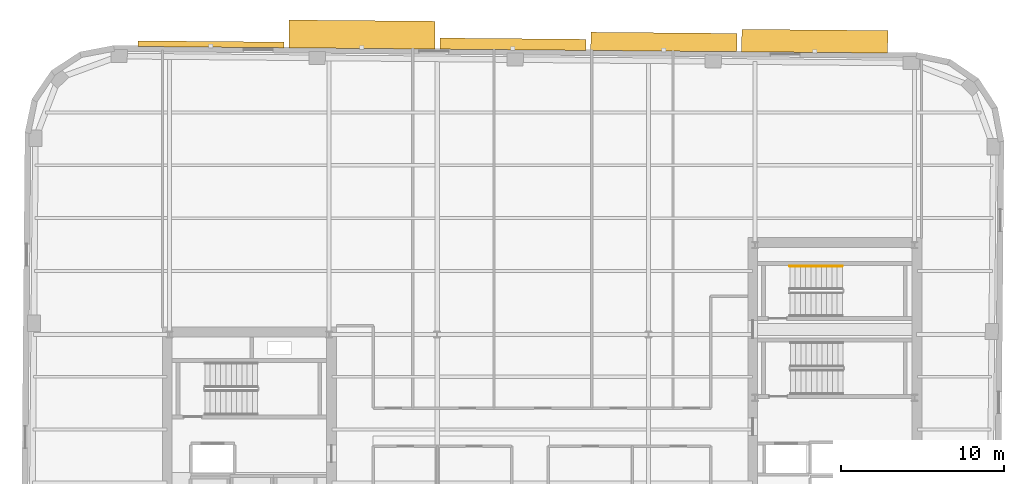
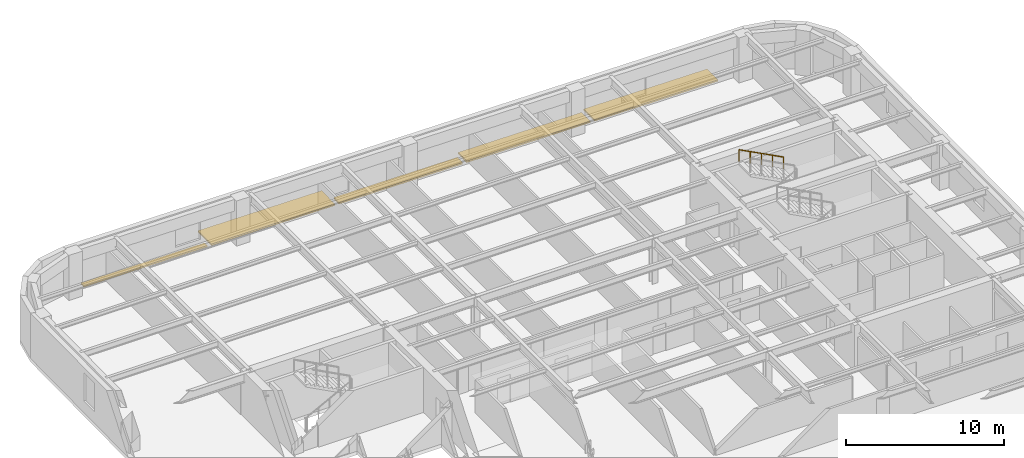
# One storey, part 11 of 11: 5 shading devices, 1 railing.
"""IFC4 building model written with IfcOpenShell, lengths in metres."""

import ifcopenshell
import ifcopenshell.guid

model = None  # the IFC model being written
_history = None  # IfcOwnerHistory: only IFC2X3 demands one
_inside = {}  # id of a spatial element -> (the spatial element, [elements in it])
_under = {}  # id of a project, library or spatial element -> (it, [spatial elements below it])
_declared = {}  # id of a project -> (the project, [libraries it declares])
_typed = {}  # id of a type object -> (the type object, [elements of that type])
_made_of = {}  # id of a material, layer set ... -> (it, [elements and type objects made of it])


def new_model(schema):
    """Start an empty IFC model of exactly this schema.

    Asked for "IFC4X3", IfcOpenShell would pick the latest addendum, in which some entities
    have other attributes; the version numbers below select the first issue.
    IFC2X3 requires an IfcOwnerHistory on every rooted entity: one is made here for all.
    """
    global model, _history
    if schema == "IFC4X3":
        model = ifcopenshell.file(schema_version=(4, 3, 0, 0))
    else:
        model = ifcopenshell.file(schema=schema)
    _inside.clear()
    _under.clear()
    _declared.clear()
    _typed.clear()
    _made_of.clear()
    _history = None
    if model.schema == "IFC2X3":
        org = make("IfcOrganization", Name="unknown")
        user = make(
            "IfcPersonAndOrganization",
            ThePerson=make("IfcPerson", FamilyName="unknown"),
            TheOrganization=org,
        )
        app = make(
            "IfcApplication",
            ApplicationDeveloper=org,
            Version="unknown",
            ApplicationFullName="unknown",
            ApplicationIdentifier="unknown",
        )
        _history = make(
            "IfcOwnerHistory",
            OwningUser=user,
            OwningApplication=app,
            ChangeAction="ADDED",
            CreationDate=0,
        )
    return model


def make(cls, **values):
    """One entity of the class cls with the attributes given. An attribute that is None is left unset."""
    return model.create_entity(
        cls, **{name: value for name, value in values.items() if value is not None}
    )


def rooted(cls, **values):
    """An entity with a GlobalId (a new one), such as an element, a storey or a relation."""
    return make(cls, GlobalId=ifcopenshell.guid.new(), OwnerHistory=_history, **values)


def si_unit(unit_type, name, prefix=None):
    """IfcSIUnit, for example si_unit("LENGTHUNIT", "METRE", prefix="MILLI")."""
    return make("IfcSIUnit", UnitType=unit_type, Prefix=prefix, Name=name)


def assignment(units):
    """IfcUnitAssignment: the units of a project."""
    return None if units is None else make("IfcUnitAssignment", Units=units)


def point(xyz):
    """IfcCartesianPoint."""
    return None if xyz is None else make("IfcCartesianPoint", Coordinates=xyz)


def direction(xyz):
    """IfcDirection."""
    return None if xyz is None else make("IfcDirection", DirectionRatios=xyz)


def frame(location, z_axis=None, x_axis=None):
    """IfcAxis2Placement3D, a coordinate frame: its origin and axes. An axis left out is left unset."""
    return make(
        "IfcAxis2Placement3D",
        Location=point(location),
        Axis=direction(z_axis),
        RefDirection=direction(x_axis),
    )


def frame_2d(location, x_axis=None):
    """IfcAxis2Placement2D, a coordinate frame in the plane: its origin and x axis."""
    return make(
        "IfcAxis2Placement2D", Location=point(location), RefDirection=direction(x_axis)
    )


def origin():
    """The frame at (0, 0, 0) with its axes left unset."""
    return frame((0.0, 0.0, 0.0))


def origin_2d():
    """The frame at (0, 0) in the plane with its x axis left unset."""
    return frame_2d((0.0, 0.0))


def place(relative_to, where):
    """IfcLocalPlacement: puts the frame where relative to a parent placement (None: the world)."""
    return make(
        "IfcLocalPlacement", PlacementRelTo=relative_to, RelativePlacement=where
    )


def context(
    kind, dimensions, precision=None, world=None, true_north=None, identifier=None
):
    """IfcGeometricRepresentationContext, for example the 3D "Model" context."""
    return make(
        "IfcGeometricRepresentationContext",
        ContextIdentifier=identifier,
        ContextType=kind,
        CoordinateSpaceDimension=dimensions,
        Precision=precision,
        WorldCoordinateSystem=world,
        TrueNorth=true_north,
    )


def subcontext(parent, identifier, kind, view, scale=None):
    """IfcGeometricRepresentationSubContext, for example "Body" below "Model"."""
    return make(
        "IfcGeometricRepresentationSubContext",
        ContextIdentifier=identifier,
        ContextType=kind,
        ParentContext=parent,
        TargetScale=scale,
        TargetView=view,
    )


def project(units=None, contexts=None):
    """IfcProject with its units and contexts."""
    return rooted(
        "IfcProject",
        Name="project",
        RepresentationContexts=contexts,
        UnitsInContext=assignment(units),
    )


def spatial(cls, under=None, at=None, **own):
    """A site, building, storey or space (cls), placed at a placement, below another one or the project."""
    s = rooted(cls, ObjectPlacement=at, **own)
    if under is not None:
        _under.setdefault(under.id(), (under, []))[1].append(s)
    return s


def profile(cls, at=None, kind="AREA", **sizes):
    """A parametric profile (cls). Its sizes go by their IFC names, for example OverallWidth=200.0."""
    return make(cls, ProfileType=kind, Position=at, **sizes)


def rectangle(**sizes):
    """IfcRectangleProfileDef."""
    return profile("IfcRectangleProfileDef", **sizes)


def circle(**sizes):
    """IfcCircleProfileDef."""
    return profile("IfcCircleProfileDef", **sizes)


def extrude(swept, where, along, depth):
    """IfcExtrudedAreaSolid: the profile swept, set in the frame where, extruded along a direction by depth."""
    return make(
        "IfcExtrudedAreaSolid",
        SweptArea=swept,
        Position=where,
        ExtrudedDirection=direction(along),
        Depth=depth,
    )


def shape(context_of_items, identifier, shape_type, items):
    """IfcShapeRepresentation: the items that make up one representation, for example the "Body"."""
    return make(
        "IfcShapeRepresentation",
        ContextOfItems=context_of_items,
        RepresentationIdentifier=identifier,
        RepresentationType=shape_type,
        Items=items,
    )


def material(Name=None, Category=None):
    """IfcMaterial."""
    return make("IfcMaterial", Name=Name, Category=Category)


def made_of(thing, what):
    """Note that an element or type object is made of a material, layer set ...; save() writes the relation."""
    if what is not None:
        _made_of.setdefault(what.id(), (what, []))[1].append(thing)
    return thing


def type_object(cls, material=None, **own):
    """A type object (cls), such as IfcWallType, which elements share."""
    return made_of(rooted(cls, **own), material)


def element(
    cls,
    number,
    at=None,
    inside=None,
    cuts=None,
    type_object=None,
    material=None,
    context=None,
    identifier="Body",
    shape_type=None,
    held_by="IfcProductDefinitionShape",
    body=None,
    shapes=None,
    **own,
):
    """One element of the class cls, such as IfcWall. Its Tag is "e" and its number.

    at: its placement. inside: the storey or other place that contains it. cuts: it is an
    opening in that element (IfcRelVoidsElement). A single representation is given by context,
    identifier, shape_type and body (its items); several are given by shapes. held_by: the class
    of the entity that holds the representations. save() writes the other relations.
    """
    e = rooted(cls, Tag="e%d" % number, ObjectPlacement=at, **own)
    if body is not None:
        shapes = [shape(context, identifier, shape_type, body)]
    if shapes is not None:
        e.Representation = make(held_by, Representations=shapes)
    if inside is not None:
        _inside.setdefault(inside.id(), (inside, []))[1].append(e)
    if cuts is not None:
        rooted(
            "IfcRelVoidsElement", RelatingBuildingElement=cuts, RelatedOpeningElement=e
        )
    if type_object is not None:
        _typed.setdefault(type_object.id(), (type_object, []))[1].append(e)
    return made_of(e, material)


def aggregate(whole, parts):
    """IfcRelAggregates: a whole, such as a stair, and the parts it consists of."""
    return rooted("IfcRelAggregates", RelatingObject=whole, RelatedObjects=parts)


def save(model, path):
    """Write the relations noted so far, then the file.

    IfcRelAggregates (storeys below a building ...), IfcRelContainedInSpatialStructure (elements
    in a storey), IfcRelDefinesByType, IfcRelAssociatesMaterial and IfcRelDeclares: one each for
    every whole, place, type object, material and project.
    """
    for whole, parts in _under.values():
        aggregate(whole, parts)
    for where, things in _inside.values():
        rooted(
            "IfcRelContainedInSpatialStructure",
            RelatedElements=things,
            RelatingStructure=where,
        )
    for kind, things in _typed.values():
        rooted("IfcRelDefinesByType", RelatedObjects=things, RelatingType=kind)
    for what, things in _made_of.values():
        rooted("IfcRelAssociatesMaterial", RelatedObjects=things, RelatingMaterial=what)
    for by, libraries in _declared.values():
        rooted("IfcRelDeclares", RelatingContext=by, RelatedDefinitions=libraries)
    model.write(path)


model = new_model("IFC4")

# Units and contexts
model_context = context("Model", 3, precision=1e-05, world=origin(), true_north=direction((0.0, 1.0)))
body_context = subcontext(model_context, "Body", "Model", "MODEL_VIEW")
ifc_project = project(units=[si_unit("LENGTHUNIT", "METRE"), si_unit("AREAUNIT", "SQUARE_METRE"), si_unit("VOLUMEUNIT", "CUBIC_METRE"), si_unit("PLANEANGLEUNIT", "RADIAN"), si_unit("MASSUNIT", "GRAM", prefix="KILO")], contexts=[model_context])

# Site, building, storey
site_placement = place(None, origin())
site = spatial("IfcSite", under=ifc_project, at=site_placement, CompositionType="ELEMENT")
building_placement = place(site_placement, origin())
building = spatial("IfcBuilding", under=site, at=building_placement, Name="Kolvaren Arena Tower", CompositionType="ELEMENT")
storey_placement = place(building_placement, frame((0.0, 0.0, 180.949951171875)))
storey = spatial("IfcBuildingStorey", under=building, at=storey_placement, Name="L43", CompositionType="ELEMENT", Elevation=180.949951171875)

# Railing
ifc_material_1 = material(Name="Brushed stainless steel handrail", Category="steel")
railing_type = type_object("IfcRailingType", Name="HRAIL-900", PredefinedType="HANDRAIL", material=ifc_material_1)
railing_placement = place(storey_placement, frame((55.919921875, 38.050048828125, 2.04541015625)))
element("IfcRailing", 1, at=railing_placement, inside=storey, type_object=railing_type, Name="L43 ST-E2 stair handrail 2", PredefinedType="HANDRAIL", context=body_context, shape_type="SweptSolid", body=[
    extrude(circle(Radius=0.02392578125, at=origin_2d()), frame((0.0, 0.0, 0.8759765625), z_axis=(-0.884993431791, 0.0, 0.465603506952), x_axis=(0.0, -1.0, 0.0)), (0.0, 0.0, 1.0), 3.6611328125),
    extrude(circle(Radius=0.02099609375, at=origin_2d()), origin(), (0.0, 0.0, 1.0), 0.851806640625),
    extrude(circle(Radius=0.02099609375, at=origin_2d()), frame((-0.81005859375, 0.0, 0.42626953125)), (0.0, 0.0, 1.0), 0.851806640625),
    extrude(circle(Radius=0.02099609375, at=origin_2d()), frame((-1.6201171875, 0.0, 0.852294921875)), (0.0, 0.0, 1.0), 0.851806640625),
    extrude(circle(Radius=0.02099609375, at=origin_2d()), frame((-2.429931640625, 0.0, 1.2783203125)), (0.0, 0.0, 1.0), 0.851806640625),
    extrude(circle(Radius=0.02099609375, at=origin_2d()), frame((-3.239990234375, 0.0, 1.70458984375)), (0.0, 0.0, 1.0), 0.851806640625),
])

# Shading devices
ifc_material_2 = material(Name="Architectural precast GFRC and anodised aluminium sunshade", Category="concrete")
shading_device_type_1 = type_object("IfcShadingDeviceType", Name="SHAD-SINE-A", PredefinedType="USERDEFINED", material=ifc_material_2)
shading_device_1_placement = place(storey_placement, frame((17.0908203125, 51.6875, -0.139892578125), z_axis=(0.0, 0.0, 1.0), x_axis=(0.999961923064, -0.008726535498, 0.0)))
element("IfcShadingDevice", 2, at=shading_device_1_placement, inside=storey, type_object=shading_device_type_1, Name="Sinusoidal Slab-Edge Sunshade Louvre (L43)", ObjectType="LOUVRE", PredefinedType="USERDEFINED", context=body_context, shape_type="SweptSolid", body=[
    extrude(rectangle(XDim=8.97998046875, YDim=0.35009765625, at=origin_2d()), origin(), (0.0, 0.0, 1.0), 0.1201171875),
])
shading_device_2_placement = place(storey_placement, frame((35.651611328125, 51.6923828125, -0.139892578125), z_axis=(0.0, 0.0, 1.0), x_axis=(0.999961923064, -0.008726535498, 0.0)))
element("IfcShadingDevice", 3, at=shading_device_2_placement, inside=storey, type_object=shading_device_type_1, Name="Sinusoidal Slab-Edge Sunshade Louvre (L43)", ObjectType="LOUVRE", PredefinedType="USERDEFINED", context=body_context, shape_type="SweptSolid", body=[
    extrude(rectangle(XDim=8.97998046875, YDim=0.68408203125, at=origin_2d()), origin(), (0.0, 0.0, 1.0), 0.1201171875),
])
shading_device_3_placement = place(storey_placement, frame((44.93310546875, 51.831298828125, -0.139892578125), z_axis=(0.0, 0.0, 1.0), x_axis=(0.999961923064, -0.008726535498, 0.0)))
element("IfcShadingDevice", 4, at=shading_device_3_placement, inside=storey, type_object=shading_device_type_1, Name="Sinusoidal Slab-Edge Sunshade Louvre (L43)", ObjectType="LOUVRE", PredefinedType="USERDEFINED", context=body_context, shape_type="SweptSolid", body=[
    extrude(rectangle(XDim=8.97998046875, YDim=1.123291015625, at=origin_2d()), origin(), (0.0, 0.0, 1.0), 0.1201171875),
])
shading_device_type_2 = type_object("IfcShadingDeviceType", Name="SHAD-SINE-B", PredefinedType="JALOUSIE", material=ifc_material_2)
shading_device_4_placement = place(storey_placement, frame((26.376220703125, 52.287353515625, -0.139892578125), z_axis=(0.0, 0.0, 1.0), x_axis=(0.999961923064, -0.008726535498, 0.0)))
element("IfcShadingDevice", 5, at=shading_device_4_placement, inside=storey, type_object=shading_device_type_2, Name="Sinusoidal Slab-Edge Sunshade Louvre (L43)", PredefinedType="JALOUSIE", context=body_context, shape_type="SweptSolid", body=[
    extrude(rectangle(XDim=8.97998046875, YDim=1.711669921875, at=origin_2d()), origin(), (0.0, 0.0, 1.0), 0.1201171875),
])
shading_device_5_placement = place(storey_placement, frame((54.2138671875, 51.87890625, -0.139892578125), z_axis=(0.0, 0.0, 1.0), x_axis=(0.999961923064, -0.008726535498, 0.0)))
element("IfcShadingDevice", 6, at=shading_device_5_placement, inside=storey, type_object=shading_device_type_2, Name="Sinusoidal Slab-Edge Sunshade Louvre (L43)", PredefinedType="JALOUSIE", context=body_context, shape_type="SweptSolid", body=[
    extrude(rectangle(XDim=8.97998046875, YDim=1.381103515625, at=origin_2d()), origin(), (0.0, 0.0, 1.0), 0.1201171875),
])

save(model, "model.ifc")
